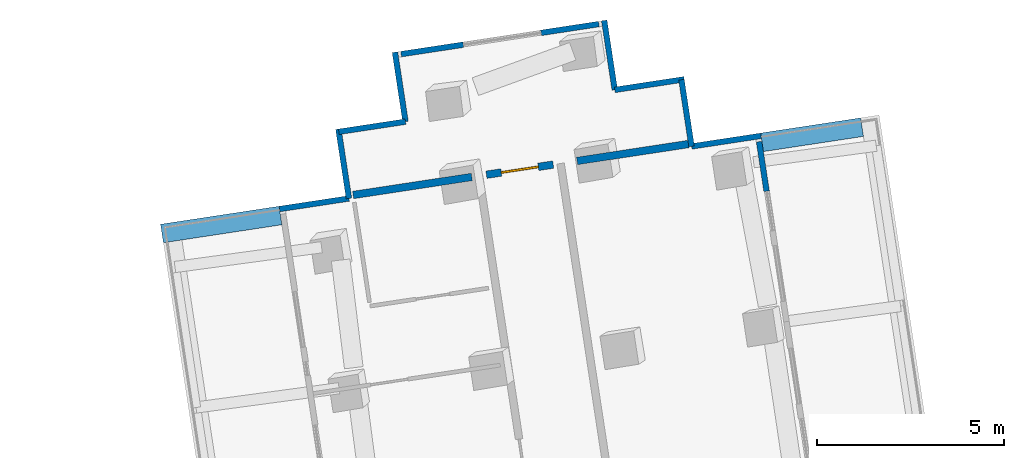
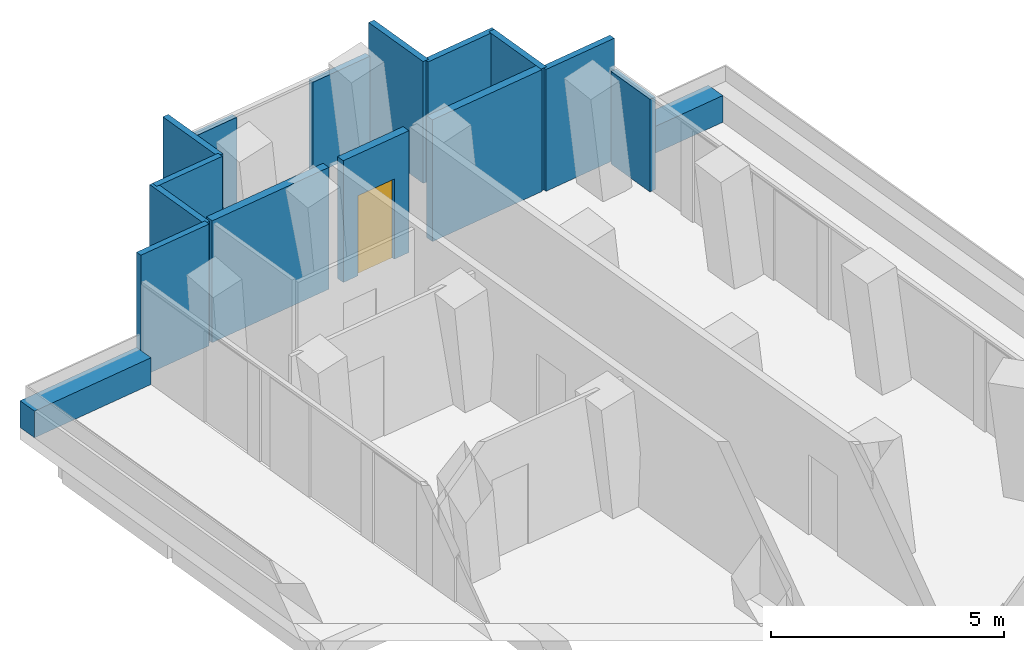
# One storey, part 25 of 28: 16 walls, 1 door, 1 opening.
"""IFC4 building model written with IfcOpenShell, lengths in metres."""

from ifc_helpers import new_model, si_unit, direction, frame, frame_2d, origin, place, context, subcontext, project, spatial, rectangle, extrude, material, layer, layer_set, type_object, element, fill, save


model = new_model("IFC4")

# Units and contexts
model_context = context("Model", 3, precision=1e-05, world=origin(), true_north=direction((0.0, 1.0)))
body_context = subcontext(model_context, "Body", "Model", "MODEL_VIEW")
ifc_project = project(units=[si_unit("LENGTHUNIT", "METRE"), si_unit("AREAUNIT", "SQUARE_METRE"), si_unit("VOLUMEUNIT", "CUBIC_METRE"), si_unit("PLANEANGLEUNIT", "RADIAN"), si_unit("MASSUNIT", "GRAM", prefix="KILO")], contexts=[model_context])

# Site, building, storey
site_placement = place(None, origin())
site = spatial("IfcSite", under=ifc_project, at=site_placement, CompositionType="ELEMENT")
building_placement = place(site_placement, origin())
building = spatial("IfcBuilding", under=site, at=building_placement, Name="Verdalira Terraces Hotel", CompositionType="ELEMENT")
storey_placement = place(building_placement, frame((0.0, 0.0, 68.0)))
storey = spatial("IfcBuildingStorey", under=building, at=storey_placement, Name="L15", CompositionType="ELEMENT", Elevation=68.0)

# Walls
ifc_material_1 = material(Name="Concrete C40", Category="concrete")
ifc_layer_1 = layer(ifc_material_1, 0.5)
ifc_layer_set_1 = layer_set([ifc_layer_1], Name="Balcony planter trough with tree")
wall_type_1 = type_object("IfcWallType", Name="Balcony planter trough with tree", PredefinedType="SOLIDWALL", material=ifc_layer_set_1)
wall_1_placement = place(storey_placement, frame((-12.322998, 37.824219, 0.0), z_axis=(0.0, 0.0, 1.0), x_axis=(-0.988655822, -0.150198754, 0.0)))
element("IfcWall", 1, at=wall_1_placement, inside=storey, type_object=wall_type_1, Name="Balcony planter", PredefinedType="SOLIDWALL", context=body_context, shape_type="SweptSolid", body=[
    extrude(rectangle(XDim=3.198975, YDim=0.5, at=frame_2d((1.599609, 0.0))), origin(), (0.0, 0.0, 1.0), 0.699951),
])
wall_2_placement = place(storey_placement, frame((3.199707, 40.182861, 0.0), z_axis=(0.0, 0.0, 1.0), x_axis=(-0.988647191, -0.150255557, 0.0)))
element("IfcWall", 2, at=wall_2_placement, inside=storey, type_object=wall_type_1, Name="Balcony planter", PredefinedType="SOLIDWALL", context=body_context, shape_type="SweptSolid", body=[
    extrude(rectangle(XDim=2.69873, YDim=0.5, at=frame_2d((1.349365, 0.0))), origin(), (0.0, 0.0, 1.0), 0.699951),
])
ifc_material_2 = material(Name="Fire-rated gypsum board wall")
ifc_layer_2 = layer(ifc_material_2, 0.199951171875)
ifc_layer_set_2 = layer_set([ifc_layer_2], Name="Demising wall 200 mm")
wall_type_2 = type_object("IfcWallType", Name="Demising wall 200 mm", PredefinedType="SOLIDWALL", material=ifc_layer_set_2)
wall_3_placement = place(storey_placement, frame((-7.216553, 38.853027, 0.0), z_axis=(0.0, 0.0, 1.0), x_axis=(-0.988646659, -0.150259053, 0.0)))
element("IfcWall", 3, at=wall_3_placement, inside=storey, type_object=wall_type_2, Name="Demising wall", PredefinedType="SOLIDWALL", context=body_context, shape_type="SweptSolid", body=[
    extrude(rectangle(XDim=3.204102, YDim=0.199951, at=frame_2d((1.602051, 0.0))), origin(), (0.0, 0.0, 1.0), 3.189941),
])
wall_4_placement = place(storey_placement, frame((-1.435059, 39.731445, 0.0), z_axis=(0.0, 0.0, 1.0), x_axis=(-0.988660334, -0.150169049, 0.0)))
element("IfcWall", 4, at=wall_4_placement, inside=storey, type_object=wall_type_2, Name="Demising wall", PredefinedType="SOLIDWALL", context=body_context, shape_type="SweptSolid", body=[
    extrude(rectangle(XDim=3.002686, YDim=0.199951, at=frame_2d((1.501465, 0.0))), origin(), (0.0, 0.0, 1.0), 3.189941),
])

# Wall, opening, door
ifc_material_3 = material(Name="Fire-rated gypsum board wall")
ifc_layer_3 = layer(ifc_material_3, 0.199951171875)
ifc_layer_set_3 = layer_set([ifc_layer_3], Name="Guest corridor wall 200 mm")
wall_type_3 = type_object("IfcWallType", Name="Guest corridor wall 200 mm", PredefinedType="SOLIDWALL", material=ifc_layer_set_3)
wall_5_placement = place(storey_placement, frame((-6.825195, 38.912598, 0.0), z_axis=(0.0, 0.0, 1.0), x_axis=(0.988667412, 0.150122447, 0.0)))
wall_5 = element("IfcWall", 5, at=wall_5_placement, inside=storey, type_object=wall_type_3, Name="Guest corridor wall", PredefinedType="SOLIDWALL", context=body_context, shape_type="SweptSolid", body=[
    extrude(rectangle(XDim=1.802002, YDim=0.199951, at=frame_2d((0.900879, 0.0))), origin(), (0.0, 0.0, 1.0), 3.189941),
])
opening_placement = place(wall_5_placement, frame((0.399902, 0.0, 0.0)))
opening = element("IfcOpeningElement", 6, at=opening_placement, cuts=wall_5, Name="Opening L15-103", PredefinedType="OPENING", context=body_context, shape_type="SweptSolid", body=[
    extrude(rectangle(XDim=1.0, YDim=2.100098, at=frame_2d((0.5, 1.050049))), frame((0.0, 0.109863, 0.0), z_axis=(0.0, -1.0, 0.0), x_axis=(1.0, 0.0, 0.0)), (0.0, 0.0, 1.0), 0.219971),
])
ifc_material_4 = material(Name="Timber door", Category="wood")
door_type = type_object("IfcDoorType", Name="Lounge door 1000 x 2100", OperationType="NOTDEFINED", PredefinedType="DOOR", material=ifc_material_4)
door_placement = place(opening_placement, origin())
door = element("IfcDoor", 7, at=door_placement, inside=storey, type_object=door_type, Name="Lounge door 1502", OperationType="SINGLE_SWING_LEFT", OverallHeight=2.10009765625, OverallWidth=1.0, PredefinedType="DOOR", context=body_context, shape_type="SweptSolid", body=[
    extrude(rectangle(XDim=1.0, YDim=2.100098, at=frame_2d((0.5, 1.050049))), frame((0.0, 0.024902, 0.0), z_axis=(0.0, -1.0, 0.0), x_axis=(1.0, 0.0, 0.0)), (0.0, 0.0, 1.0), 0.050049),
])
fill(opening, door)

# Walls
ifc_material_5 = material(Name="Terracotta cladding", Category="masonry")
ifc_layer_4 = layer(ifc_material_5, 0.14990234375)
ifc_layer_set_4 = layer_set([ifc_layer_4], Name="Terracotta clad wall 150")
wall_type_4 = type_object("IfcWallType", Name="Terracotta clad wall 150", PredefinedType="SOLIDWALL", material=ifc_layer_set_4)
wall_6_placement = place(storey_placement, frame((0.50415, 39.950195, 0.0), z_axis=(0.0, 0.0, 1.0), x_axis=(-0.98866636, -0.150129371, 0.0)))
element("IfcWall", 8, at=wall_6_placement, inside=storey, type_object=wall_type_4, Name="Terracotta cladding wall", PredefinedType="SOLIDWALL", context=body_context, shape_type="SweptSolid", body=[
    extrude(rectangle(XDim=1.875, YDim=0.149902, at=frame_2d((0.9375, 0.0))), origin(), (0.0, 0.0, 1.0), 3.189941),
])
wall_7_placement = place(storey_placement, frame((-1.349609, 39.668701, 0.0), z_axis=(0.0, 0.0, 1.0), x_axis=(-0.150150918, 0.988663088, 0.0)))
element("IfcWall", 9, at=wall_7_placement, inside=storey, type_object=wall_type_4, Name="Terracotta cladding wall", PredefinedType="SOLIDWALL", context=body_context, shape_type="SweptSolid", body=[
    extrude(rectangle(XDim=1.800049, YDim=0.149902, at=frame_2d((0.899902, 0.0))), origin(), (0.0, 0.0, 1.0), 3.189941),
])
for number, where, z_axis, x_axis, name in (
    (10, (-1.545898, 41.459473, 0.0), (0.0, 0.0, 1.0), (-0.988647026, -0.15025664, 0.0), "Terracotta cladding wall"),
    (11, (-3.399658, 41.177734, 0.0), (0.0, 0.0, 1.0), (-0.150129371, 0.98866636, 0.0), "Terracotta cladding wall"),
    (12, (-9.26709, 42.182861, 0.0), (0.0, 0.0, 1.0), (0.15025664, -0.988647026, 0.0), "Terracotta cladding wall"),
):
    element("IfcWall", number, at=place(storey_placement, frame(where, z_axis=z_axis, x_axis=x_axis)), inside=storey, type_object=wall_type_4, Name=name, PredefinedType="SOLIDWALL", context=body_context, shape_type="SweptSolid", body=[
        extrude(rectangle(XDim=1.875, YDim=0.149902, at=frame_2d((0.9375, 0.0))), origin(), (0.0, 0.0, 1.0), 3.189941),
    ])
wall_8_placement = place(storey_placement, frame((-8.985352, 40.329102, 0.0), z_axis=(0.0, 0.0, 1.0), x_axis=(-0.988642944, -0.150283493, 0.0)))
element("IfcWall", 13, at=wall_8_placement, inside=storey, type_object=wall_type_4, Name="Terracotta cladding wall", PredefinedType="SOLIDWALL", context=body_context, shape_type="SweptSolid", body=[
    extrude(rectangle(XDim=1.800049, YDim=0.149902, at=frame_2d((0.899902, 0.0))), origin(), (0.0, 0.0, 1.0), 3.189941),
])
for number, where, z_axis, x_axis, name in (
    (14, (-10.776367, 40.132812, 0.0), (0.0, 0.0, 1.0), (0.15025664, -0.988647026, 0.0), "Terracotta cladding wall"),
    (15, (-10.494629, 38.279053, 0.0), (0.0, 0.0, 1.0), (-0.988647026, -0.15025664, 0.0), "Terracotta cladding wall"),
):
    element("IfcWall", number, at=place(storey_placement, frame(where, z_axis=z_axis, x_axis=x_axis)), inside=storey, type_object=wall_type_4, Name=name, PredefinedType="SOLIDWALL", context=body_context, shape_type="SweptSolid", body=[
        extrude(rectangle(XDim=1.875, YDim=0.149902, at=frame_2d((0.9375, 0.0))), origin(), (0.0, 0.0, 1.0), 3.189941),
    ])
ifc_material_6 = material(Name="Terracotta cladding", Category="masonry")
ifc_layer_5 = layer(ifc_material_6, 0.14990234375)
ifc_layer_set_5 = layer_set([ifc_layer_5], Name="Terracotta column pier 150")
wall_type_5 = type_object("IfcWallType", Name="Terracotta column pier 150", PredefinedType="SOLIDWALL", material=ifc_layer_set_5)
wall_9_placement = place(storey_placement, frame((0.652832, 38.472656, 0.0), z_axis=(0.0, 0.0, 1.0), x_axis=(-0.15015126, 0.988663036, 0.0)))
element("IfcWall", 16, at=wall_9_placement, inside=storey, type_object=wall_type_5, Name="Terracotta column pier", PredefinedType="SOLIDWALL", context=body_context, shape_type="SweptSolid", body=[
    extrude(rectangle(XDim=1.338135, YDim=0.149902, at=frame_2d((0.668945, 0.0))), origin(), (0.0, 0.0, 1.0), 2.425049),
])
wall_10_placement = place(storey_placement, frame((-3.823242, 42.934082, 0.0), z_axis=(0.0, 0.0, 1.0), x_axis=(-0.988653682, -0.150212836, 0.0)))
element("IfcWall", 17, at=wall_10_placement, inside=storey, type_object=wall_type_5, Name="Terracotta column pier", PredefinedType="SOLIDWALL", context=body_context, shape_type="SweptSolid", body=[
    extrude(rectangle(XDim=1.562012, YDim=0.149902, at=frame_2d((0.781006, 0.0))), origin(), (0.0, 0.0, 1.0), 2.425049),
])
wall_11_placement = place(storey_placement, frame((-7.44165, 42.384277, 0.0), z_axis=(0.0, 0.0, 1.0), x_axis=(-0.988645604, -0.150265994, 0.0)))
element("IfcWall", 18, at=wall_11_placement, inside=storey, type_object=wall_type_5, Name="Terracotta column pier", PredefinedType="SOLIDWALL", context=body_context, shape_type="SweptSolid", body=[
    extrude(rectangle(XDim=1.679932, YDim=0.149902, at=frame_2d((0.839844, 0.0))), origin(), (0.0, 0.0, 1.0), 2.425049),
])

save(model, "model.ifc")
